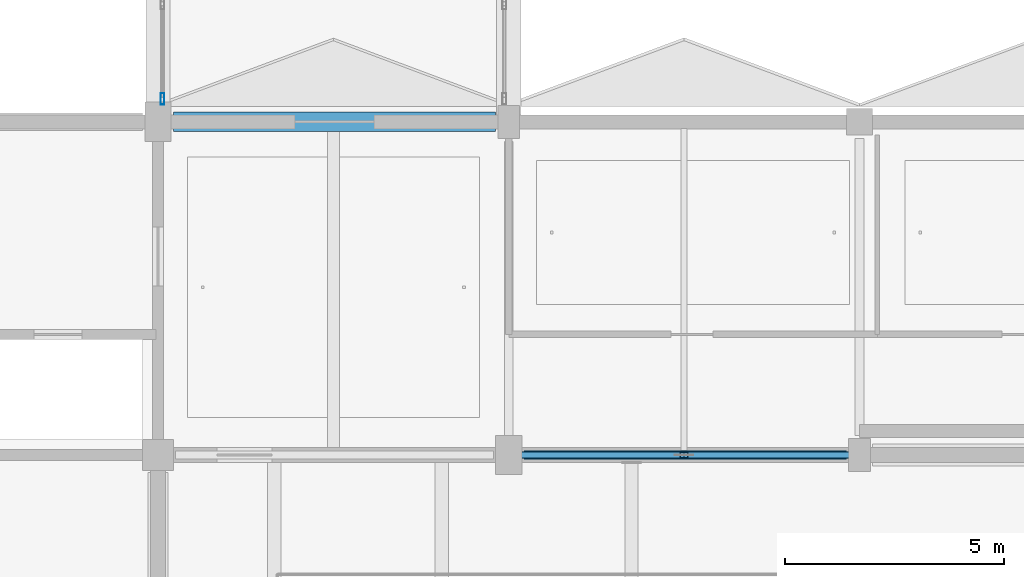
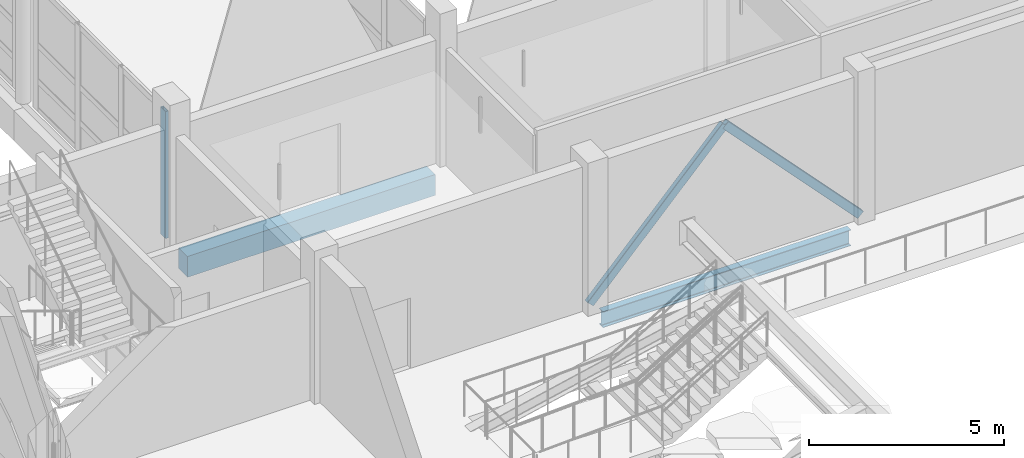
# One storey, part 19 of 141: 3 members, 2 beams, 1 element without a shape of its own.
"""IFC4 building model written with IfcOpenShell, lengths in metres."""

from ifc_helpers import new_model, si_unit, direction, frame, origin, origin_2d, place, context, subcontext, project, spatial, rectangle, hollow_rectangle, i_section, extrude, material, material_profile, profile_set, type_object, element, aggregate, save


model = new_model("IFC4")

# Units and contexts
model_context = context("Model", 3, precision=1e-05, world=origin(), true_north=direction((0.0, 1.0)))
body_context = subcontext(model_context, "Body", "Model", "MODEL_VIEW")
ifc_project = project(units=[si_unit("LENGTHUNIT", "METRE"), si_unit("AREAUNIT", "SQUARE_METRE"), si_unit("VOLUMEUNIT", "CUBIC_METRE"), si_unit("PLANEANGLEUNIT", "RADIAN"), si_unit("MASSUNIT", "GRAM", prefix="KILO")], contexts=[model_context])

# Site, building, storey
site_placement = place(None, origin())
site = spatial("IfcSite", under=ifc_project, at=site_placement, CompositionType="ELEMENT")
building_placement = place(site_placement, origin())
building = spatial("IfcBuilding", under=site, at=building_placement, Name="Khelvaren Railside Concert Hall", CompositionType="ELEMENT")
storey_placement = place(building_placement, frame((0.0, 0.0, 10.199951171875)))
storey = spatial("IfcBuildingStorey", under=building, at=storey_placement, Name="L02", CompositionType="ELEMENT", Elevation=10.199951171875)

# Beam
ifc_material_1 = material(Name="Steel S355", Category="steel")
ifc_material_profile_1 = material_profile(ifc_material_1, i_section(OverallWidth=0.199951171875, OverallDepth=0.5, WebThickness=0.01025390625, FlangeThickness=0.01611328125, FilletRadius=0.02099609375, at=origin_2d()), Name="IPE 500")
ifc_profile_set_1 = profile_set([ifc_material_profile_1], Name="Steel S355")
beam_type_1 = type_object("IfcBeamType", Name="BM62", PredefinedType="BEAM", material=ifc_profile_set_1)
beam_1_placement = place(storey_placement, frame((16.35009765625, 38.0, -0.5400390625), z_axis=(1.0, 0.0, 0.0), x_axis=(0.0, 1.0, 0.0)))
element("IfcBeam", 1, at=beam_1_placement, inside=storey, type_object=beam_type_1, Name="V1 L02 Beam X6.3", PredefinedType="BEAM", context=body_context, shape_type="SweptSolid", body=[
    extrude(i_section(OverallWidth=0.199951171875, OverallDepth=0.5, WebThickness=0.01025390625, FlangeThickness=0.01611328125, FilletRadius=0.02099609375, at=origin_2d()), origin(), (0.0, 0.0, 1.0), 7.349853515625),
])

# Members
ifc_material_profile_2 = material_profile(ifc_material_1, hollow_rectangle(XDim=0.14990234375, YDim=0.25, WallThickness=0.012451171875, InnerFilletRadius=0.012451171875, OuterFilletRadius=0.01904296875, at=origin_2d()), Name="RHS 250x150x12.5")
ifc_profile_set_2 = profile_set([ifc_material_profile_2], Name="Steel S355")
member_type_1 = type_object("IfcMemberType", Name="BR52", PredefinedType="BRACE", material=ifc_profile_set_2)
for number, where, z_axis, x_axis, name in (
    (2, (16.0, 38.0, 0.050048828125), (0.687937954056, 0.0, 0.725769502921), (0.0, 1.0, 0.0), "V1 L02 Seismic Chevron Brace 35"),
    (3, (24.0, 38.0, 0.050048828125), (-0.687937954056, 0.0, 0.725769502921), (0.0, -1.0, 0.0), "V1 L02 Seismic Chevron Brace 36"),
):
    element("IfcMember", number, at=place(storey_placement, frame(where, z_axis=z_axis, x_axis=x_axis)), inside=storey, type_object=member_type_1, Name=name, PredefinedType="BRACE", context=body_context, shape_type="SweptSolid", body=[
        extrude(hollow_rectangle(XDim=0.14990234375, YDim=0.25, WallThickness=0.012451171875, InnerFilletRadius=0.012451171875, OuterFilletRadius=0.01904296875, at=origin_2d()), origin(), (0.0, 0.0, 1.0), 5.814453125),
    ])

# Curtain wall, member
ifc_material_2 = material(Name="Acoustic laminated crystal facade glass", Category="glass")
curtain_wall_type = type_object("IfcCurtainWallType", Name="CW78", PredefinedType="USERDEFINED", material=ifc_material_2)
curtain_wall_placement = place(storey_placement, origin())
curtain_wall = element("IfcCurtainWall", 4, at=curtain_wall_placement, inside=storey, type_object=curtain_wall_type, Name="Unitised Curtain Wall CW-LB3-L02-W1", ObjectType="UNITISED CURTAIN WALL", PredefinedType="USERDEFINED")
ifc_material_3 = material(Name="Anodised architectural aluminium 6063-T6", Category="aluminium")
ifc_material_profile_3 = material_profile(ifc_material_3, hollow_rectangle(XDim=0.0849609375, YDim=0.260009765625, WallThickness=0.0048828125, InnerFilletRadius=0.0029296875, OuterFilletRadius=0.0048828125, at=origin_2d()), Name="CWM 85x260x5")
ifc_profile_set_3 = profile_set([ifc_material_profile_3], Name="Anodised architectural aluminium 6063-T6")
member_type_2 = type_object("IfcMemberType", Name="CWM40", PredefinedType="MULLION", material=ifc_profile_set_3)
member_placement = place(storey_placement, frame((8.10009765625, 46.12255859375, 0.0), z_axis=(0.0, 0.0, 1.0), x_axis=(-1.0, 0.0, 0.0)))
member = element("IfcMember", 5, at=member_placement, type_object=member_type_2, Name="CW78 mullion 1", PredefinedType="MULLION", context=body_context, shape_type="SweptSolid", body=[
    extrude(hollow_rectangle(XDim=0.0849609375, YDim=0.260009765625, WallThickness=0.0048828125, InnerFilletRadius=0.0029296875, OuterFilletRadius=0.0048828125, at=origin_2d()), origin(), (0.0, 0.0, 1.0), 3.97998046875),
])
aggregate(curtain_wall, [member])

# Beam
ifc_material_4 = material(Name="Concrete C40/50", Category="concrete")
ifc_material_profile_4 = material_profile(ifc_material_4, rectangle(XDim=0.449951171875, YDim=0.64990234375, at=origin_2d()), Name="RCB 450x650")
ifc_profile_set_4 = profile_set([ifc_material_profile_4], Name="Concrete C40/50")
beam_type_2 = type_object("IfcBeamType", Name="SP34", PredefinedType="SPANDREL", material=ifc_profile_set_4)
beam_2_placement = place(storey_placement, frame((8.35009765625, 45.60009765625, -0.614990234375), z_axis=(1.0, 0.0, 0.0), x_axis=(0.0, 1.0, 0.0)))
element("IfcBeam", 6, at=beam_2_placement, inside=storey, type_object=beam_type_2, Name="V1 L02 Spandrel X7.2", PredefinedType="SPANDREL", context=body_context, shape_type="SweptSolid", body=[
    extrude(rectangle(XDim=0.449951171875, YDim=0.64990234375, at=origin_2d()), origin(), (0.0, 0.0, 1.0), 7.349853515625),
])

save(model, "model.ifc")
